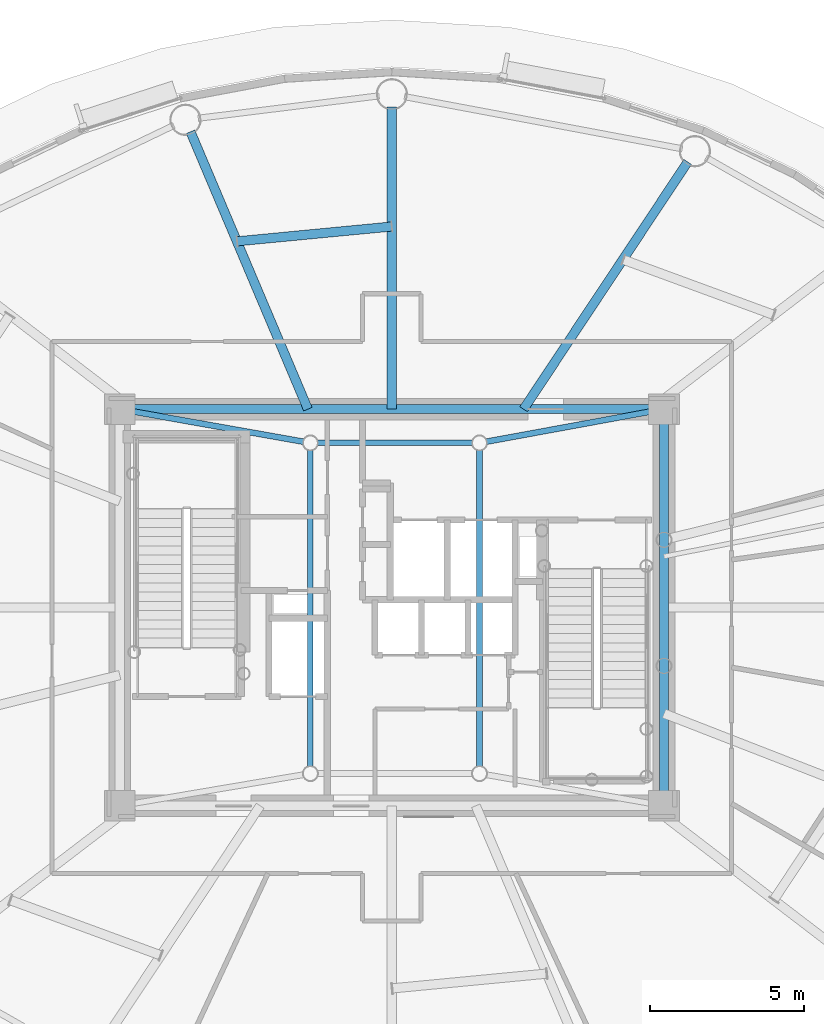
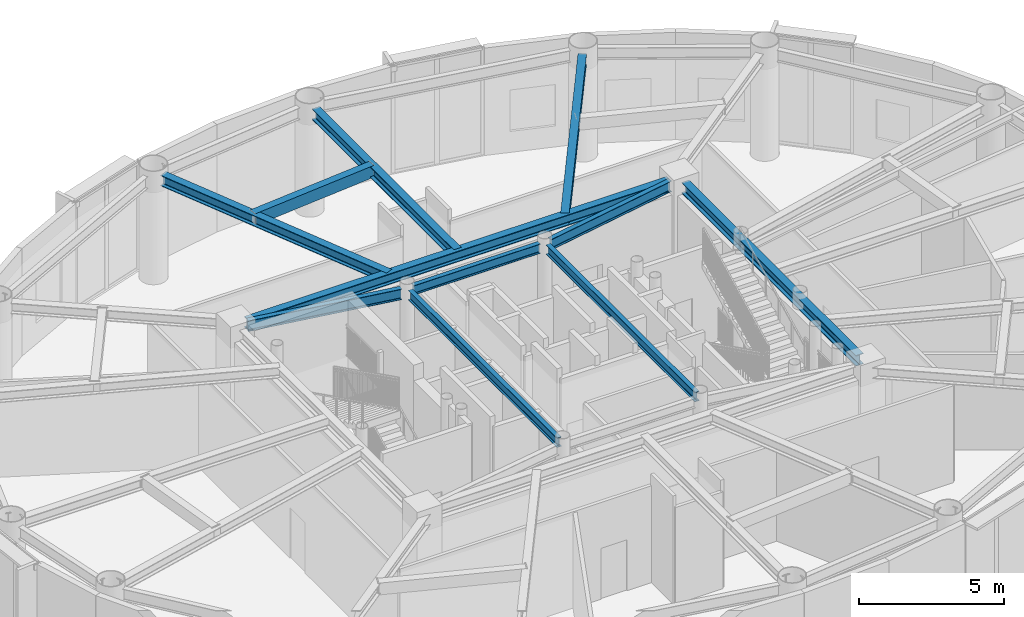
# One storey, part 13 of 32: 11 beams.
"""IFC4 building model written with IfcOpenShell, lengths in metres."""

from ifc_helpers import new_model, si_unit, direction, frame, origin, origin_2d, place, context, subcontext, project, spatial, hollow_rectangle, i_section, extrude, material, material_profile, profile_set, type_object, element, save


model = new_model("IFC4")

# Units and contexts
model_context = context("Model", 3, precision=1e-05, world=origin(), true_north=direction((0.0, 1.0)))
body_context = subcontext(model_context, "Body", "Model", "MODEL_VIEW")
ifc_project = project(units=[si_unit("LENGTHUNIT", "METRE"), si_unit("AREAUNIT", "SQUARE_METRE"), si_unit("VOLUMEUNIT", "CUBIC_METRE"), si_unit("PLANEANGLEUNIT", "RADIAN"), si_unit("MASSUNIT", "GRAM", prefix="KILO")], contexts=[model_context])

# Site, building, storey
site_placement = place(None, origin())
site = spatial("IfcSite", under=ifc_project, at=site_placement, CompositionType="ELEMENT")
building_placement = place(site_placement, origin())
building = spatial("IfcBuilding", under=site, at=building_placement, Name="Linh Dai School and Residence Tower", CompositionType="ELEMENT")
storey_placement = place(building_placement, frame((0.0, 0.0, 268.199951171875)))
storey = spatial("IfcBuildingStorey", under=building, at=storey_placement, Name="L66", CompositionType="ELEMENT", Elevation=268.199951171875)

# Beams
ifc_material = material(Name="Structural Steel S355JR", Category="steel")
ifc_material_profile_1 = material_profile(ifc_material, hollow_rectangle(XDim=0.300048828125, YDim=0.5, WallThickness=0.01611328125, at=origin_2d()), Name="RHS 500x300x16")
ifc_profile_set_1 = profile_set([ifc_material_profile_1], Name="Structural Steel S355JR")
beam_type_1 = type_object("IfcBeamType", Name="BM-BX5", PredefinedType="BEAM", material=ifc_profile_set_1)
beam_1_placement = place(storey_placement, frame((35.9951171875, 39.388671875, 4.300048828125), z_axis=(-0.99544604529, -0.095326653757, 0.0), x_axis=(0.095326653757, -0.99544604529, 0.0)))
element("IfcBeam", 1, at=beam_1_placement, inside=storey, type_object=beam_type_1, Name="L66 Secondary Circumferential Floor Beam 03", PredefinedType="BEAM", context=body_context, shape_type="SweptSolid", body=[
    extrude(hollow_rectangle(XDim=0.300048828125, YDim=0.5, WallThickness=0.01611328125, at=origin_2d()), origin(), (0.0, 0.0, 1.0), 5.052978515625),
])
ifc_material_profile_2 = material_profile(ifc_material, i_section(OverallWidth=0.300048828125, OverallDepth=0.449951171875, WebThickness=0.013916015625, FlangeThickness=0.02587890625, FilletRadius=0.027099609375, at=origin_2d()), Name="HEB 450")
ifc_profile_set_2 = profile_set([ifc_material_profile_2], Name="Structural Steel S355JR")
beam_type_2 = type_object("IfcBeamType", Name="BM-RG45", PredefinedType="BEAM", material=ifc_profile_set_2)
beam_2_placement = place(storey_placement, frame((44.85009765625, 20.969970703125, 4.324951171875), z_axis=(0.0, 1.0, 0.0), x_axis=(-1.0, 0.0, 0.0)))
element("IfcBeam", 2, at=beam_2_placement, inside=storey, type_object=beam_type_2, Name="L66 Core Perimeter Coupling Girder 2", PredefinedType="BEAM", context=body_context, shape_type="SweptSolid", body=[
    extrude(i_section(OverallWidth=0.300048828125, OverallDepth=0.449951171875, WebThickness=0.013916015625, FlangeThickness=0.02587890625, FilletRadius=0.027099609375, at=origin_2d()), origin(), (0.0, 0.0, 1.0), 12.06005859375),
])
beam_3_placement = place(storey_placement, frame((44.429931640625, 33.449951171875, 4.324951171875), z_axis=(-1.0, 0.0, 0.0), x_axis=(0.0, -1.0, 0.0)))
element("IfcBeam", 3, at=beam_3_placement, inside=storey, type_object=beam_type_2, Name="L66 Core Perimeter Coupling Girder 3", PredefinedType="BEAM", context=body_context, shape_type="SweptSolid", body=[
    extrude(i_section(OverallWidth=0.300048828125, OverallDepth=0.449951171875, WebThickness=0.013916015625, FlangeThickness=0.02587890625, FilletRadius=0.027099609375, at=origin_2d()), origin(), (0.0, 0.0, 1.0), 16.85986328125),
])
beam_4_placement = place(storey_placement, frame((40.283447265625, 33.449951171875, 4.324951171875), z_axis=(0.553210566646, 0.833041456922, 0.0), x_axis=(-0.833041456922, 0.553210566646, 0.0)))
element("IfcBeam", 4, at=beam_4_placement, inside=storey, type_object=beam_type_2, Name="L66 Primary Radial Floor Girder 04", PredefinedType="BEAM", context=body_context, shape_type="SweptSolid", body=[
    extrude(i_section(OverallWidth=0.300048828125, OverallDepth=0.449951171875, WebThickness=0.013916015625, FlangeThickness=0.02587890625, FilletRadius=0.027099609375, at=origin_2d()), origin(), (0.0, 0.0, 1.0), 9.650146484375),
])
beam_5_placement = place(storey_placement, frame((36.0, 33.449951171875, 4.324951171875), z_axis=(0.0, 1.0, 0.0), x_axis=(-1.0, 0.0, 0.0)))
element("IfcBeam", 5, at=beam_5_placement, inside=storey, type_object=beam_type_2, Name="L66 Primary Radial Floor Girder 05", PredefinedType="BEAM", context=body_context, shape_type="SweptSolid", body=[
    extrude(i_section(OverallWidth=0.300048828125, OverallDepth=0.449951171875, WebThickness=0.013916015625, FlangeThickness=0.02587890625, FilletRadius=0.027099609375, at=origin_2d()), origin(), (0.0, 0.0, 1.0), 9.820068359375),
])
beam_6_placement = place(storey_placement, frame((33.269775390625, 33.449951171875, 4.324951171875), z_axis=(-0.389794463678, 0.920901881899, 0.0), x_axis=(-0.920901881899, -0.389794463678, 0.0)))
element("IfcBeam", 6, at=beam_6_placement, inside=storey, type_object=beam_type_2, Name="L66 Primary Radial Floor Girder 06", PredefinedType="BEAM", context=body_context, shape_type="SweptSolid", body=[
    extrude(i_section(OverallWidth=0.300048828125, OverallDepth=0.449951171875, WebThickness=0.013916015625, FlangeThickness=0.02587890625, FilletRadius=0.027099609375, at=origin_2d()), origin(), (0.0, 0.0, 1.0), 9.7958984375),
])
ifc_material_profile_3 = material_profile(ifc_material, i_section(OverallWidth=0.179931640625, OverallDepth=0.39990234375, WebThickness=0.008544921875, FlangeThickness=0.013427734375, FilletRadius=0.02099609375, at=origin_2d()), Name="IPE 400")
ifc_profile_set_3 = profile_set([ifc_material_profile_3], Name="Structural Steel S355JR")
beam_type_3 = type_object("IfcBeamType", Name="BM-SB40", PredefinedType="BEAM", material=ifc_profile_set_3)
beam_7_placement = place(storey_placement, frame((38.85009765625, 21.823974609375, 4.35009765625), z_axis=(0.0, 1.0, 0.0), x_axis=(-1.0, 0.0, 0.0)))
element("IfcBeam", 7, at=beam_7_placement, inside=storey, type_object=beam_type_3, Name="L66 Core Mast Pier Tie Beam 2", PredefinedType="BEAM", context=body_context, shape_type="SweptSolid", body=[
    extrude(i_section(OverallWidth=0.179931640625, OverallDepth=0.39990234375, WebThickness=0.008544921875, FlangeThickness=0.013427734375, FilletRadius=0.02099609375, at=origin_2d()), origin(), (0.0, 0.0, 1.0), 10.302001953125),
])
beam_8_placement = place(storey_placement, frame((38.6259765625, 32.35009765625, 4.35009765625), z_axis=(-1.0, 0.0, 0.0), x_axis=(0.0, -1.0, 0.0)))
element("IfcBeam", 8, at=beam_8_placement, inside=storey, type_object=beam_type_3, Name="L66 Core Mast Pier Tie Beam 3", PredefinedType="BEAM", context=body_context, shape_type="SweptSolid", body=[
    extrude(i_section(OverallWidth=0.179931640625, OverallDepth=0.39990234375, WebThickness=0.008544921875, FlangeThickness=0.013427734375, FilletRadius=0.02099609375, at=origin_2d()), origin(), (0.0, 0.0, 1.0), 5.052001953125),
])
beam_9_placement = place(storey_placement, frame((33.35009765625, 32.1259765625, 4.35009765625), z_axis=(0.0, -1.0, 0.0), x_axis=(1.0, 0.0, 0.0)))
element("IfcBeam", 9, at=beam_9_placement, inside=storey, type_object=beam_type_3, Name="L66 Core Mast Pier Tie Beam 4", PredefinedType="BEAM", context=body_context, shape_type="SweptSolid", body=[
    extrude(i_section(OverallWidth=0.179931640625, OverallDepth=0.39990234375, WebThickness=0.008544921875, FlangeThickness=0.013427734375, FilletRadius=0.02099609375, at=origin_2d()), origin(), (0.0, 0.0, 1.0), 10.302001953125),
])
ifc_material_profile_4 = material_profile(ifc_material, i_section(OverallWidth=0.18994140625, OverallDepth=0.449951171875, WebThickness=0.009521484375, FlangeThickness=0.0146484375, FilletRadius=0.02099609375, at=origin_2d()), Name="IPE 450")
ifc_profile_set_4 = profile_set([ifc_material_profile_4], Name="Structural Steel S355JR")
beam_type_4 = type_object("IfcBeamType", Name="BM-SB45", PredefinedType="BEAM", material=ifc_profile_set_4)
beam_10_placement = place(storey_placement, frame((44.436767578125, 33.374267578125, 4.324951171875), z_axis=(-0.983605366802, -0.180334362777, 0.0), x_axis=(0.180334362777, -0.983605366802, 0.0)))
element("IfcBeam", 10, at=beam_10_placement, inside=storey, type_object=beam_type_4, Name="L66 Core Corner-to-Mast Pier Beam 3", PredefinedType="BEAM", context=body_context, shape_type="SweptSolid", body=[
    extrude(i_section(OverallWidth=0.18994140625, OverallDepth=0.449951171875, WebThickness=0.009521484375, FlangeThickness=0.0146484375, FilletRadius=0.02099609375, at=origin_2d()), origin(), (0.0, 0.0, 1.0), 5.455810546875),
])
beam_11_placement = place(storey_placement, frame((27.5634765625, 33.376708984375, 4.324951171875), z_axis=(0.984621828197, -0.174699328672, 0.0), x_axis=(0.174699328672, 0.984621828197, 0.0)))
element("IfcBeam", 11, at=beam_11_placement, inside=storey, type_object=beam_type_4, Name="L66 Core Corner-to-Mast Pier Beam 4", PredefinedType="BEAM", context=body_context, shape_type="SweptSolid", body=[
    extrude(i_section(OverallWidth=0.18994140625, OverallDepth=0.449951171875, WebThickness=0.009521484375, FlangeThickness=0.0146484375, FilletRadius=0.02099609375, at=origin_2d()), origin(), (0.0, 0.0, 1.0), 5.65283203125),
])

save(model, "model.ifc")
